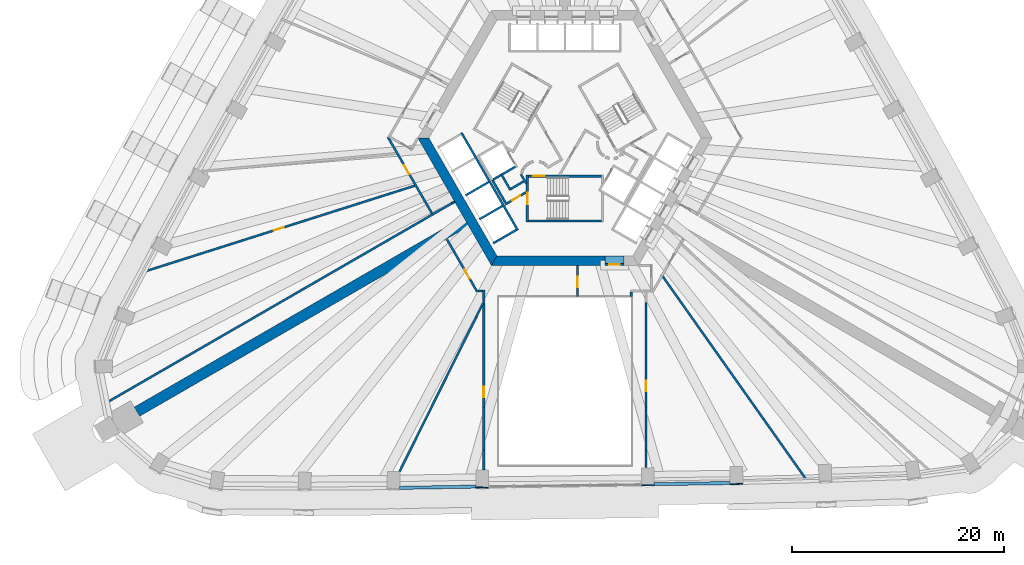
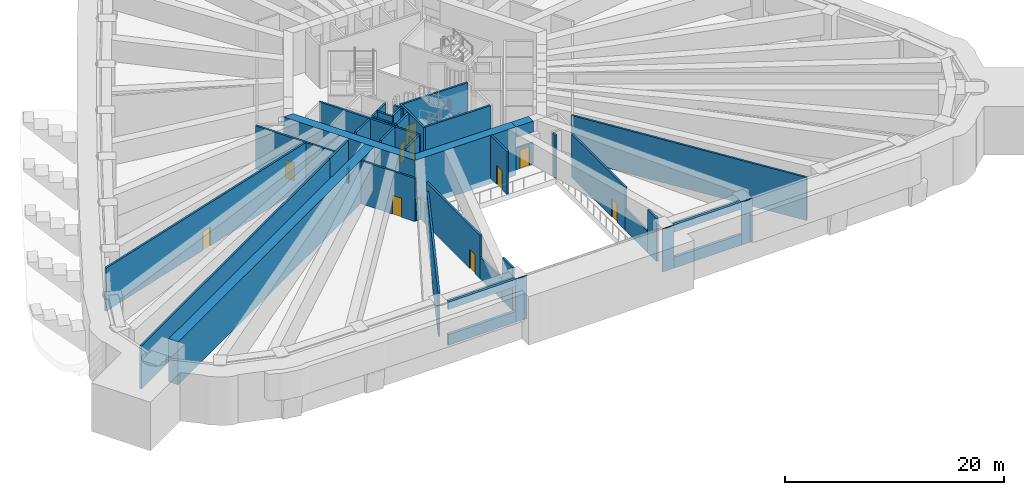
# One storey, part 5 of 21: 44 walls, 10 doors, 10 openings.
"""IFC4 building model written with IfcOpenShell, lengths in metres."""

from ifc_helpers import new_model, si_unit, direction, frame, frame_2d, origin, place, context, subcontext, project, spatial, polyline, rectangle, outline, extrude, material, layer, layer_set, type_object, element, fill, save


model = new_model("IFC4")

# Units and contexts
model_context = context("Model", 3, precision=1e-05, world=origin(), true_north=direction((0.0, 1.0)))
body_context = subcontext(model_context, "Body", "Model", "MODEL_VIEW")
ifc_project = project(units=[si_unit("LENGTHUNIT", "METRE"), si_unit("AREAUNIT", "SQUARE_METRE"), si_unit("VOLUMEUNIT", "CUBIC_METRE"), si_unit("PLANEANGLEUNIT", "RADIAN"), si_unit("MASSUNIT", "GRAM", prefix="KILO")], contexts=[model_context])

# Site, building, storey
site_placement = place(None, origin())
site = spatial("IfcSite", under=ifc_project, at=site_placement, CompositionType="ELEMENT")
building_placement = place(site_placement, origin())
building = spatial("IfcBuilding", under=site, at=building_placement, Name="Entoto Arch Interchange Tower", CompositionType="ELEMENT")
storey_placement = place(building_placement, frame((0.0, 0.0, 81.199951171875)))
storey = spatial("IfcBuildingStorey", under=building, at=storey_placement, Name="L17", CompositionType="ELEMENT", Elevation=81.199951171875)

# Wall, opening, door
ifc_material_1 = material(Name="Reinforced concrete C40/50", Category="concrete")
ifc_layer_1 = layer(ifc_material_1, 0.199951171875)
ifc_layer_set_1 = layer_set([ifc_layer_1], Name="Reinforced concrete C40/50")
wall_type_1 = type_object("IfcWallType", Name="CORE GAP INFILL WALL", PredefinedType="PARTITIONING", material=ifc_layer_set_1)
wall_1_placement = place(storey_placement, frame((3.75, -9.39990234375, 0.0), z_axis=(0.0, 0.0, 1.0), x_axis=(1.0, 0.0, 0.0)))
wall_1 = element("IfcWall", 1, at=wall_1_placement, inside=storey, type_object=wall_type_1, Name="wall:L17:gap1", PredefinedType="PARTITIONING", context=body_context, shape_type="SweptSolid", body=[
    extrude(rectangle(XDim=1.830078125, YDim=0.199951171875, at=frame_2d((0.9150390625, 0.0))), origin(), (0.0, 0.0, 1.0), 2.400146484375),
])
opening_1_placement = place(wall_1_placement, frame((0.4150390625, 0.0, 0.0)))
opening_1 = element("IfcOpeningElement", 2, at=opening_1_placement, cuts=wall_1, Name="Opening L17-D91", PredefinedType="OPENING", context=body_context, shape_type="SweptSolid", body=[
    extrude(rectangle(XDim=1.0, YDim=2.10009765625, at=frame_2d((0.5, 1.050048828125))), frame((0.0, 0.10986328125, 0.0), z_axis=(0.0, -1.0, 0.0), x_axis=(1.0, 0.0, 0.0)), (0.0, 0.0, 1.0), 0.219970703125),
])
ifc_material_2 = material(Name="Fire-rated Steel S235 door and frame", Category="steel")
door_type_1 = type_object("IfcDoorType", Name="DOOR FD-10 1000x2100", OperationType="SINGLE_SWING_LEFT", PredefinedType="DOOR", material=ifc_material_2)
door_1_placement = place(opening_1_placement, origin())
door_1 = element("IfcDoor", 3, at=door_1_placement, inside=storey, type_object=door_type_1, Name="door:L17:gap1", OperationType="SINGLE_SWING_LEFT", OverallHeight=2.10009765625, OverallWidth=1.0, PredefinedType="DOOR", context=body_context, shape_type="SweptSolid", body=[
    extrude(rectangle(XDim=1.0, YDim=2.10009765625, at=frame_2d((0.5, 1.050048828125))), frame((0.0, 0.02490234375, 0.0), z_axis=(0.0, -1.0, 0.0), x_axis=(1.0, 0.0, 0.0)), (0.0, 0.0, 1.0), 0.050048828125),
])
fill(opening_1, door_1)

# Walls
ifc_material_3 = material(Name="Concrete C60/75", Category="concrete")
ifc_layer_2 = layer(ifc_material_3, 0.89990234375)
ifc_layer_set_2 = layer_set([ifc_layer_2], Name="Concrete C60/75")
wall_type_2 = type_object("IfcWallType", Name="Core wall 900 C60/75", PredefinedType="SHEAR", material=ifc_layer_set_2)
wall_2_placement = place(storey_placement, frame((0.0, 0.0, -0.599853515625)))
element("IfcWall", 4, at=wall_2_placement, inside=storey, type_object=wall_type_2, Name="Core wall SW L17", PredefinedType="SHEAR", context=body_context, shape_type="SweptSolid", body=[
    extrude(outline(polyline([(-13.85595703125, 2.5), (-6.927978515625, -9.5), (-6.408935546875, -8.60009765625), (-12.81689453125, 2.5), (-13.85595703125, 2.5)])), origin(), (0.0, 0.0, 1.0), 5.39990234375),
])
wall_3_placement = place(storey_placement, frame((0.0, 0.0, -0.599853515625)))
element("IfcWall", 5, at=wall_3_placement, inside=storey, type_object=wall_type_2, Name="Core wall S L17", PredefinedType="SHEAR", context=body_context, shape_type="SweptSolid", body=[
    extrude(outline(polyline([(3.75, -9.5), (3.75, -8.60009765625), (-6.408935546875, -8.60009765625), (-6.927978515625, -9.5), (3.75, -9.5)])), origin(), (0.0, 0.0, 1.0), 5.39990234375),
])
wall_4_placement = place(storey_placement, frame((0.0, 0.0, 3.60009765625)))
element("IfcWall", 6, at=wall_4_placement, inside=storey, type_object=wall_type_2, Name="Core wall lintel S L17", PredefinedType="SHEAR", context=body_context, shape_type="SweptSolid", body=[
    extrude(outline(polyline([(5.580078125, -9.5), (5.580078125, -8.60009765625), (3.75, -8.60009765625), (3.75, -9.5), (5.580078125, -9.5)])), origin(), (0.0, 0.0, 1.0), 1.199951171875),
])
ifc_material_4 = material(Name="Concrete C40/50", Category="concrete")
ifc_layer_3 = layer(ifc_material_4, 0.199951171875)
ifc_layer_set_3 = layer_set([ifc_layer_3], Name="Concrete C40/50")
wall_type_3 = type_object("IfcWallType", Name="LIFT SHAFT WALL 200", PredefinedType="STANDARD", material=ifc_layer_set_3)
wall_5_placement = place(storey_placement, frame((-4.677001953125, -0.199951171875, 0.0), z_axis=(0.0, 0.0, 1.0), x_axis=(-0.865973769406, -0.500089422704, 0.0)))
element("IfcWall", 7, at=wall_5_placement, inside=storey, type_object=wall_type_3, Name="Shaft wall SW1 cross 2", PredefinedType="STANDARD", context=body_context, shape_type="SweptSolid", body=[
    extrude(rectangle(XDim=2.3994140625, YDim=0.199951171875, at=frame_2d((1.19970703125, 0.0))), origin(), (0.0, 0.0, 1.0), 4.800048828125),
])
wall_6_placement = place(storey_placement, frame((-9.7509765625, 2.989990234375, 0.0), z_axis=(0.0, 0.0, 1.0), x_axis=(0.50000090737, -0.866024879913, 0.0)))
element("IfcWall", 8, at=wall_6_placement, inside=storey, type_object=wall_type_3, Name="Shaft wall SW3 front", PredefinedType="STANDARD", context=body_context, shape_type="SweptSolid", body=[
    extrude(rectangle(XDim=10.60009765625, YDim=0.199951171875, at=frame_2d((5.300048828125, 0.0))), origin(), (0.0, 0.0, 1.0), 4.800048828125),
])
for number, where, z_axis, x_axis, name in (
    (9, (-7.18798828125, -1.64990234375, 0.0), (0.0, 0.0, 1.0), (-0.866022959057, -0.500004234368, 0.0), "Shaft wall SW3 cross 3"),
    (10, (-5.887939453125, -3.902099609375, 0.0), (0.0, 0.0, 1.0), (-0.866022959057, -0.500004234368, 0.0), "Shaft wall SW3 cross 4"),
    (11, (-4.587890625, -6.153076171875, 0.0), (0.0, 0.0, 1.0), (-0.866022959057, -0.500004234368, 0.0), "Shaft wall SW3 cross 5"),
):
    element("IfcWall", number, at=place(storey_placement, frame(where, z_axis=z_axis, x_axis=x_axis)), inside=storey, type_object=wall_type_3, Name=name, PredefinedType="STANDARD", context=body_context, shape_type="SweptSolid", body=[
        extrude(rectangle(XDim=2.5, YDim=0.199951171875, at=frame_2d((1.25, 0.0))), origin(), (0.0, 0.0, 1.0), 4.800048828125),
    ])
ifc_layer_4 = layer(ifc_material_3, 1.0)
ifc_layer_set_4 = layer_set([ifc_layer_4], Name="Concrete C60/75")
wall_type_4 = type_object("IfcWallType", Name="Outrigger wall 1000 C60/75", PredefinedType="SHEAR", material=ifc_layer_set_4)
wall_7_placement = place(storey_placement, frame((-9.31005859375, -5.375, 0.0), z_axis=(0.0, 0.0, 1.0), x_axis=(-0.866022967049, -0.500004220526, 0.0)))
element("IfcWall", 12, at=wall_7_placement, inside=storey, type_object=wall_type_4, Name="Outrigger wall SW L17", PredefinedType="SHEAR", context=body_context, shape_type="SweptSolid", body=[
    extrude(rectangle(XDim=35.801513671875, YDim=1.0, at=frame_2d((17.90087890625, 0.0))), origin(), (0.0, 0.0, 1.0), 4.800048828125),
])
ifc_material_5 = material(Name="Gypsum board partition on steel studs", Category="steel")
ifc_layer_5 = layer(ifc_material_5, 0.199951171875)
ifc_layer_set_5 = layer_set([ifc_layer_5], Name="Gypsum board partition on steel studs")
wall_type_5 = type_object("IfcWallType", Name="PARTITION 200", PredefinedType="PARTITIONING", material=ifc_layer_set_5)
wall_8_placement = place(storey_placement, frame((-3.89990234375, -1.59912109375, 0.0), z_axis=(0.0, 0.0, 1.0), x_axis=(-0.865969445389, -0.500096910261, 0.0)))
element("IfcWall", 13, at=wall_8_placement, inside=storey, type_object=wall_type_5, Name="wall:L17:p007", PredefinedType="PARTITIONING", context=body_context, shape_type="SweptSolid", body=[
    extrude(rectangle(XDim=1.373291015625, YDim=0.199951171875, at=frame_2d((0.6865234375, 0.0))), origin(), (0.0, 0.0, 1.0), 4.800048828125),
])
wall_9_placement = place(storey_placement, frame((-5.1259765625, -2.422119140625, 0.0), z_axis=(0.0, 0.0, 1.0), x_axis=(-0.500062241894, 0.865989465428, 0.0)))
element("IfcWall", 14, at=wall_9_placement, inside=storey, type_object=wall_type_5, Name="wall:L17:p008", PredefinedType="PARTITIONING", context=body_context, shape_type="SweptSolid", body=[
    extrude(rectangle(XDim=1.699951171875, YDim=0.199951171875, at=frame_2d((0.85009765625, 0.0))), origin(), (0.0, 0.0, 1.0), 4.800048828125),
])
wall_10_placement = place(storey_placement, frame((-5.491943359375, -3.7880859375, 0.0), z_axis=(0.0, 0.0, 1.0), x_axis=(-0.500008949224, 0.866020236886, 0.0)))
element("IfcWall", 15, at=wall_10_placement, inside=storey, type_object=wall_type_5, Name="wall:L17:p009", PredefinedType="PARTITIONING", context=body_context, shape_type="SweptSolid", body=[
    extrude(rectangle(XDim=2.68017578125, YDim=0.199951171875, at=frame_2d((1.340087890625, 0.0))), origin(), (0.0, 0.0, 1.0), 4.800048828125),
])
wall_11_placement = place(storey_placement, frame((-4.14501953125, -0.919921875, 0.0), z_axis=(0.0, 0.0, 1.0), x_axis=(0.499743786207, -0.866173278362, 0.0)))
element("IfcWall", 16, at=wall_11_placement, inside=storey, type_object=wall_type_5, Name="wall:L17:p010", PredefinedType="PARTITIONING", context=body_context, shape_type="SweptSolid", body=[
    extrude(rectangle(XDim=0.99072265625, YDim=0.199951171875, at=frame_2d((0.495361328125, 0.0))), origin(), (0.0, 0.0, 1.0), 4.800048828125),
])

# Wall, opening, door
wall_12_placement = place(storey_placement, frame((-3.64990234375, -2.610107421875, 0.0), z_axis=(0.0, 0.0, 1.0), x_axis=(-0.866072462134, -0.499918483688, 0.0)))
wall_12 = element("IfcWall", 17, at=wall_12_placement, inside=storey, type_object=wall_type_5, Name="wall:L17:p011", PredefinedType="PARTITIONING", context=body_context, shape_type="SweptSolid", body=[
    extrude(rectangle(XDim=2.084228515625, YDim=0.199951171875, at=frame_2d((1.0419921875, 0.0))), origin(), (0.0, 0.0, 1.0), 4.800048828125),
])
opening_2_placement = place(wall_12_placement, frame((0.64208984375, 0.0, 0.0)))
opening_2 = element("IfcOpeningElement", 18, at=opening_2_placement, cuts=wall_12, Name="Opening L17-D23", PredefinedType="OPENING", context=body_context, shape_type="SweptSolid", body=[
    extrude(rectangle(XDim=0.89990234375, YDim=2.10009765625, at=frame_2d((0.449951171875, 1.050048828125))), frame((0.0, 0.10986328125, 0.0), z_axis=(0.0, -1.0, 0.0), x_axis=(1.0, 0.0, 0.0)), (0.0, 0.0, 1.0), 0.219970703125),
])
ifc_material_6 = material(Name="Timber door leaf in Steel S235 frame", Category="steel")
door_type_2 = type_object("IfcDoorType", Name="DOOR DS-09 900x2100", OperationType="SINGLE_SWING_LEFT", PredefinedType="DOOR", material=ifc_material_6)
door_2_placement = place(opening_2_placement, origin())
door_2 = element("IfcDoor", 19, at=door_2_placement, inside=storey, type_object=door_type_2, Name="door:L17:23", OperationType="SINGLE_SWING_LEFT", OverallHeight=2.10009765625, OverallWidth=0.89990234375, PredefinedType="DOOR", context=body_context, shape_type="SweptSolid", body=[
    extrude(rectangle(XDim=0.89990234375, YDim=2.10009765625, at=frame_2d((0.449951171875, 1.050048828125))), frame((0.0, 0.02490234375, 0.0), z_axis=(0.0, -1.0, 0.0), x_axis=(1.0, 0.0, 0.0)), (0.0, 0.0, 1.0), 0.050048828125),
])
fill(opening_2, door_2)

wall_13_placement = place(storey_placement, frame((1.1650390625, -12.449951171875, 0.0), z_axis=(0.0, 0.0, 1.0), x_axis=(0.0, 1.0, 0.0)))
wall_13 = element("IfcWall", 20, at=wall_13_placement, inside=storey, type_object=wall_type_5, Name="wall:L17:p028", PredefinedType="PARTITIONING", context=body_context, shape_type="SweptSolid", body=[
    extrude(rectangle(XDim=2.949951171875, YDim=0.199951171875, at=frame_2d((1.47509765625, 0.0))), origin(), (0.0, 0.0, 1.0), 4.800048828125),
])
opening_3_placement = place(wall_13_placement, frame((0.8759765625, 0.0, 0.0)))
opening_3 = element("IfcOpeningElement", 21, at=opening_3_placement, cuts=wall_13, Name="Opening L17-D01", PredefinedType="OPENING", context=body_context, shape_type="SweptSolid", body=[
    extrude(rectangle(XDim=1.0, YDim=2.10009765625, at=frame_2d((0.5, 1.050048828125))), frame((0.0, 0.10986328125, 0.0), z_axis=(0.0, -1.0, 0.0), x_axis=(1.0, 0.0, 0.0)), (0.0, 0.0, 1.0), 0.219970703125),
])
door_3_placement = place(opening_3_placement, origin())
door_3 = element("IfcDoor", 22, at=door_3_placement, inside=storey, type_object=door_type_1, Name="door:L17:01", OperationType="SINGLE_SWING_LEFT", OverallHeight=2.10009765625, OverallWidth=1.0, PredefinedType="DOOR", context=body_context, shape_type="SweptSolid", body=[
    extrude(rectangle(XDim=1.0, YDim=2.10009765625, at=frame_2d((0.5, 1.050048828125))), frame((0.0, 0.02490234375, 0.0), z_axis=(0.0, -1.0, 0.0), x_axis=(1.0, 0.0, 0.0)), (0.0, 0.0, 1.0), 0.050048828125),
])
fill(opening_3, door_3)

# Walls
wall_14_placement = place(storey_placement, frame((6.25, -12.0, 0.0), z_axis=(0.0, 0.0, 1.0), x_axis=(0.0, -1.0, 0.0)))
element("IfcWall", 23, at=wall_14_placement, inside=storey, type_object=wall_type_5, Name="wall:L17:p030", PredefinedType="PARTITIONING", context=body_context, shape_type="SweptSolid", body=[
    extrude(rectangle(XDim=0.449951171875, YDim=0.199951171875, at=frame_2d((0.22509765625, 0.0))), origin(), (0.0, 0.0, 1.0), 4.800048828125),
])
wall_15_placement = place(storey_placement, frame((-7.64990234375, -12.825927734375, 0.0), z_axis=(0.0, 0.0, 1.0), x_axis=(0.0, 1.0, 0.0)))
element("IfcWall", 24, at=wall_15_placement, inside=storey, type_object=wall_type_5, Name="wall:L17:p035", PredefinedType="PARTITIONING", context=body_context, shape_type="SweptSolid", body=[
    extrude(rectangle(XDim=1.02587890625, YDim=0.199951171875, at=frame_2d((0.512939453125, 0.0))), origin(), (0.0, 0.0, 1.0), 2.400146484375),
])
wall_16_placement = place(storey_placement, frame((-7.75, -11.89990234375, 0.0), z_axis=(0.0, 0.0, 1.0), x_axis=(-1.0, 0.0, 0.0)))
element("IfcWall", 25, at=wall_16_placement, inside=storey, type_object=wall_type_5, Name="wall:L17:p036", PredefinedType="PARTITIONING", context=body_context, shape_type="SweptSolid", body=[
    extrude(rectangle(XDim=0.464111328125, YDim=0.199951171875, at=frame_2d((0.23193359375, 0.0))), origin(), (0.0, 0.0, 1.0), 2.400146484375),
])

# Wall, opening, door
wall_17_placement = place(storey_placement, frame((-8.263916015625, -11.987060546875, 0.0), z_axis=(0.0, 0.0, 1.0), x_axis=(-0.499907863044, 0.866078592546, 0.0)))
wall_17 = element("IfcWall", 26, at=wall_17_placement, inside=storey, type_object=wall_type_5, Name="wall:L17:p037", PredefinedType="PARTITIONING", context=body_context, shape_type="SweptSolid", body=[
    extrude(rectangle(XDim=5.69921875, YDim=0.199951171875, at=frame_2d((2.849609375, 0.0))), origin(), (0.0, 0.0, 1.0), 4.800048828125),
])
opening_4_placement = place(wall_17_placement, frame((1.4189453125, 0.0, 0.0)))
opening_4 = element("IfcOpeningElement", 27, at=opening_4_placement, cuts=wall_17, Name="Opening L17-D03", PredefinedType="OPENING", context=body_context, shape_type="SweptSolid", body=[
    extrude(rectangle(XDim=1.0, YDim=2.10009765625, at=frame_2d((0.5, 1.050048828125))), frame((0.0, 0.10986328125, 0.0), z_axis=(0.0, -1.0, 0.0), x_axis=(1.0, 0.0, 0.0)), (0.0, 0.0, 1.0), 0.219970703125),
])
door_4_placement = place(opening_4_placement, origin())
door_4 = element("IfcDoor", 28, at=door_4_placement, inside=storey, type_object=door_type_1, Name="door:L17:03", OperationType="SINGLE_SWING_LEFT", OverallHeight=2.10009765625, OverallWidth=1.0, PredefinedType="DOOR", context=body_context, shape_type="SweptSolid", body=[
    extrude(rectangle(XDim=1.0, YDim=2.10009765625, at=frame_2d((0.5, 1.050048828125))), frame((0.0, 0.02490234375, 0.0), z_axis=(0.0, -1.0, 0.0), x_axis=(1.0, 0.0, 0.0)), (0.0, 0.0, 1.0), 0.050048828125),
])
fill(opening_4, door_4)

# Walls
wall_18_placement = place(storey_placement, frame((-7.64990234375, -28.75390625, 0.0), z_axis=(0.0, 0.0, 1.0), x_axis=(0.0, 1.0, 0.0)))
element("IfcWall", 29, at=wall_18_placement, inside=storey, type_object=wall_type_5, Name="wall:L17:p038", PredefinedType="PARTITIONING", context=body_context, shape_type="SweptSolid", body=[
    extrude(rectangle(XDim=1.8818359375, YDim=0.199951171875, at=frame_2d((0.94091796875, 0.0))), origin(), (0.0, 0.0, 1.0), 4.800048828125),
])
wall_19_placement = place(storey_placement, frame((9.092041015625, -10.3701171875, 0.0), z_axis=(0.0, 0.0, 1.0), x_axis=(0.577082807178, -0.816685639435, 0.0)))
element("IfcWall", 30, at=wall_19_placement, inside=storey, type_object=wall_type_5, Name="wall:L17:p042", PredefinedType="PARTITIONING", context=body_context, shape_type="SweptSolid", body=[
    extrude(rectangle(XDim=23.646484375, YDim=0.199951171875, at=frame_2d((11.8232421875, 0.0))), origin(), (0.0, 0.0, 1.0), 4.800048828125),
])
wall_20_placement = place(storey_placement, frame((-7.60595703125, -12.8359375, 0.0), z_axis=(0.0, 0.0, 1.0), x_axis=(-0.444033028639, -0.896010418175, 0.0)))
element("IfcWall", 31, at=wall_20_placement, inside=storey, type_object=wall_type_5, Name="wall:L17:p043", PredefinedType="PARTITIONING", context=body_context, shape_type="SweptSolid", body=[
    extrude(rectangle(XDim=1.720947265625, YDim=0.199951171875, at=frame_2d((0.8603515625, 0.0))), origin(), (0.0, 0.0, 1.0), 2.400146484375),
])
wall_21_placement = place(storey_placement, frame((-10.39208984375, -3.5, 0.0), z_axis=(0.0, 0.0, 1.0), x_axis=(-0.866040446274, -0.499973944738, 0.0)))
element("IfcWall", 32, at=wall_21_placement, inside=storey, type_object=wall_type_5, Name="wall:L17:p044", PredefinedType="PARTITIONING", context=body_context, shape_type="SweptSolid", body=[
    extrude(rectangle(XDim=0.30810546875, YDim=0.199951171875, at=frame_2d((0.154052734375, 0.0))), origin(), (0.0, 0.0, 1.0), 1.699951171875),
])
wall_22_placement = place(storey_placement, frame((-43.3369140625, -22.52001953125, 0.0), z_axis=(0.0, 0.0, 1.0), x_axis=(0.866035864772, 0.4999818806, 0.0)))
element("IfcWall", 33, at=wall_22_placement, inside=storey, type_object=wall_type_5, Name="wall:L17:p045", PredefinedType="PARTITIONING", context=body_context, shape_type="SweptSolid", body=[
    extrude(rectangle(XDim=34.431396484375, YDim=0.199951171875, at=frame_2d((17.2158203125, 0.0))), origin(), (0.0, 0.0, 1.0), 4.800048828125),
])

# Wall, opening, door
wall_23_placement = place(storey_placement, frame((-12.470947265625, -4.699951171875, 0.0), z_axis=(0.0, 0.0, 1.0), x_axis=(-0.49990916997, 0.866077838176, 0.0)))
wall_23 = element("IfcWall", 34, at=wall_23_placement, inside=storey, type_object=wall_type_5, Name="wall:L17:p068", PredefinedType="PARTITIONING", context=body_context, shape_type="SweptSolid", body=[
    extrude(rectangle(XDim=8.41357421875, YDim=0.199951171875, at=frame_2d((4.206787109375, 0.0))), origin(), (0.0, 0.0, 1.0), 4.800048828125),
])
opening_5_placement = place(wall_23_placement, frame((4.362060546875, 0.0, 0.0)))
opening_5 = element("IfcOpeningElement", 35, at=opening_5_placement, cuts=wall_23, Name="Opening L17-D16", PredefinedType="OPENING", context=body_context, shape_type="SweptSolid", body=[
    extrude(rectangle(XDim=1.0, YDim=2.10009765625, at=frame_2d((0.5, 1.050048828125))), frame((0.0, 0.10986328125, 0.0), z_axis=(0.0, -1.0, 0.0), x_axis=(1.0, 0.0, 0.0)), (0.0, 0.0, 1.0), 0.219970703125),
])
door_5_placement = place(opening_5_placement, origin())
door_5 = element("IfcDoor", 36, at=door_5_placement, inside=storey, type_object=door_type_1, Name="door:L17:16", OperationType="SINGLE_SWING_RIGHT", OverallHeight=2.10009765625, OverallWidth=1.0, PredefinedType="DOOR", context=body_context, shape_type="SweptSolid", body=[
    extrude(rectangle(XDim=1.0, YDim=2.10009765625, at=frame_2d((0.5, 1.050048828125))), frame((0.0, 0.02490234375, 0.0), z_axis=(0.0, -1.0, 0.0), x_axis=(1.0, 0.0, 0.0)), (0.0, 0.0, 1.0), 0.050048828125),
])
fill(opening_5, door_5)

wall_24_placement = place(storey_placement, frame((-14.051025390625, -1.962890625, 0.0), z_axis=(0.0, 0.0, 1.0), x_axis=(-0.953071002878, -0.302746863687, 0.0)))
wall_24 = element("IfcWall", 37, at=wall_24_placement, inside=storey, type_object=wall_type_5, Name="wall:L17:p071", PredefinedType="PARTITIONING", context=body_context, shape_type="SweptSolid", body=[
    extrude(rectangle(XDim=27.158447265625, YDim=0.199951171875, at=frame_2d((13.5791015625, 0.0))), origin(), (0.0, 0.0, 1.0), 4.800048828125),
])
opening_6_placement = place(wall_24_placement, frame((13.050048828125, 0.0, 0.0)))
opening_6 = element("IfcOpeningElement", 38, at=opening_6_placement, cuts=wall_24, Name="Opening L17-D17", PredefinedType="OPENING", context=body_context, shape_type="SweptSolid", body=[
    extrude(rectangle(XDim=1.0, YDim=2.10009765625, at=frame_2d((0.5, 1.050048828125))), frame((0.0, 0.10986328125, 0.0), z_axis=(0.0, -1.0, 0.0), x_axis=(1.0, 0.0, 0.0)), (0.0, 0.0, 1.0), 0.219970703125),
])
door_6_placement = place(opening_6_placement, origin())
door_6 = element("IfcDoor", 39, at=door_6_placement, inside=storey, type_object=door_type_1, Name="door:L17:17", OperationType="SINGLE_SWING_LEFT", OverallHeight=2.10009765625, OverallWidth=1.0, PredefinedType="DOOR", context=body_context, shape_type="SweptSolid", body=[
    extrude(rectangle(XDim=1.0, YDim=2.10009765625, at=frame_2d((0.5, 1.050048828125))), frame((0.0, 0.02490234375, 0.0), z_axis=(0.0, -1.0, 0.0), x_axis=(1.0, 0.0, 0.0)), (0.0, 0.0, 1.0), 0.050048828125),
])
fill(opening_6, door_6)

wall_25_placement = place(storey_placement, frame((7.64990234375, -13.0009765625, 0.0), z_axis=(0.0, 0.0, 1.0), x_axis=(0.0, -1.0, 0.0)))
wall_25 = element("IfcWall", 40, at=wall_25_placement, inside=storey, type_object=wall_type_5, Name="wall:L17:p034", PredefinedType="PARTITIONING", context=body_context, shape_type="SweptSolid", body=[
    extrude(rectangle(XDim=9.81494140625, YDim=0.199951171875, at=frame_2d((4.907470703125, 0.0))), origin(), (0.0, 0.0, 1.0), 4.800048828125),
])
opening_7_placement = place(wall_25_placement, frame((7.362060546875, 0.0, 0.0)))
opening_7 = element("IfcOpeningElement", 41, at=opening_7_placement, cuts=wall_25, Name="Opening L17-D18", PredefinedType="OPENING", context=body_context, shape_type="SweptSolid", body=[
    extrude(rectangle(XDim=1.0, YDim=2.10009765625, at=frame_2d((0.5, 1.050048828125))), frame((0.0, 0.10986328125, 0.0), z_axis=(0.0, -1.0, 0.0), x_axis=(1.0, 0.0, 0.0)), (0.0, 0.0, 1.0), 0.219970703125),
])
door_type_3 = type_object("IfcDoorType", Name="DOOR DS-10 1000x2100", OperationType="SINGLE_SWING_LEFT", PredefinedType="DOOR", material=ifc_material_6)
door_7_placement = place(opening_7_placement, origin())
door_7 = element("IfcDoor", 42, at=door_7_placement, inside=storey, type_object=door_type_3, Name="door:L17:18", OperationType="SINGLE_SWING_RIGHT", OverallHeight=2.10009765625, OverallWidth=1.0, PredefinedType="DOOR", context=body_context, shape_type="SweptSolid", body=[
    extrude(rectangle(XDim=1.0, YDim=2.10009765625, at=frame_2d((0.5, 1.050048828125))), frame((0.0, 0.02490234375, 0.0), z_axis=(0.0, -1.0, 0.0), x_axis=(1.0, 0.0, 0.0)), (0.0, 0.0, 1.0), 0.050048828125),
])
fill(opening_7, door_7)

# Walls
wall_26_placement = place(storey_placement, frame((7.64990234375, -22.81591796875, 0.0), z_axis=(0.0, 0.0, 1.0), x_axis=(0.0, -1.0, 0.0)))
element("IfcWall", 43, at=wall_26_placement, inside=storey, type_object=wall_type_5, Name="wall:L17:p034", PredefinedType="PARTITIONING", context=body_context, shape_type="SweptSolid", body=[
    extrude(rectangle(XDim=4.05517578125, YDim=0.199951171875, at=frame_2d((2.027587890625, 0.0))), origin(), (0.0, 0.0, 1.0), 2.400146484375),
])
wall_27_placement = place(storey_placement, frame((7.64990234375, -26.87109375, 0.0), z_axis=(0.0, 0.0, 1.0), x_axis=(0.0, -1.0, 0.0)))
element("IfcWall", 44, at=wall_27_placement, inside=storey, type_object=wall_type_5, Name="wall:L17:p034", PredefinedType="PARTITIONING", context=body_context, shape_type="SweptSolid", body=[
    extrude(rectangle(XDim=1.6728515625, YDim=0.199951171875, at=frame_2d((0.83642578125, 0.0))), origin(), (0.0, 0.0, 1.0), 4.800048828125),
])
wall_28_placement = place(storey_placement, frame((-7.64990234375, -26.8720703125, 0.0), z_axis=(0.0, 0.0, 1.0), x_axis=(0.0, 1.0, 0.0)))
element("IfcWall", 45, at=wall_28_placement, inside=storey, type_object=wall_type_5, Name="wall:L17:p038", PredefinedType="PARTITIONING", context=body_context, shape_type="SweptSolid", body=[
    extrude(rectangle(XDim=4.05615234375, YDim=0.199951171875, at=frame_2d((2.028076171875, 0.0))), origin(), (0.0, 0.0, 1.0), 2.400146484375),
])

# Wall, opening, door
wall_29_placement = place(storey_placement, frame((-7.64990234375, -22.81591796875, 0.0), z_axis=(0.0, 0.0, 1.0), x_axis=(0.0, 1.0, 0.0)))
wall_29 = element("IfcWall", 46, at=wall_29_placement, inside=storey, type_object=wall_type_5, Name="wall:L17:p038", PredefinedType="PARTITIONING", context=body_context, shape_type="SweptSolid", body=[
    extrude(rectangle(XDim=9.7900390625, YDim=0.199951171875, at=frame_2d((4.89501953125, 0.0))), origin(), (0.0, 0.0, 1.0), 4.800048828125),
])
opening_8_placement = place(wall_29_placement, frame((0.885009765625, 0.0, 0.0)))
opening_8 = element("IfcOpeningElement", 47, at=opening_8_placement, cuts=wall_29, Name="Opening L17-D04", PredefinedType="OPENING", context=body_context, shape_type="SweptSolid", body=[
    extrude(rectangle(XDim=1.0, YDim=2.10009765625, at=frame_2d((0.5, 1.050048828125))), frame((0.0, 0.10986328125, 0.0), z_axis=(0.0, -1.0, 0.0), x_axis=(1.0, 0.0, 0.0)), (0.0, 0.0, 1.0), 0.219970703125),
])
door_8_placement = place(opening_8_placement, origin())
door_8 = element("IfcDoor", 48, at=door_8_placement, inside=storey, type_object=door_type_1, Name="door:L17:04", OperationType="SINGLE_SWING_RIGHT", OverallHeight=2.10009765625, OverallWidth=1.0, PredefinedType="DOOR", context=body_context, shape_type="SweptSolid", body=[
    extrude(rectangle(XDim=1.0, YDim=2.10009765625, at=frame_2d((0.5, 1.050048828125))), frame((0.0, 0.02490234375, 0.0), z_axis=(0.0, -1.0, 0.0), x_axis=(1.0, 0.0, 0.0)), (0.0, 0.0, 1.0), 0.050048828125),
])
fill(opening_8, door_8)

# Walls
wall_30_placement = place(storey_placement, frame((-8.3701171875, -14.3779296875, 0.0), z_axis=(0.0, 0.0, 1.0), x_axis=(-0.444267350834, -0.895894257702, 0.0)))
element("IfcWall", 49, at=wall_30_placement, inside=storey, type_object=wall_type_5, Name="wall:L17:p043", PredefinedType="PARTITIONING", context=body_context, shape_type="SweptSolid", body=[
    extrude(rectangle(XDim=16.2216796875, YDim=0.199951171875, at=frame_2d((8.11083984375, 0.0))), origin(), (0.0, 0.0, 1.0), 4.800048828125),
])
wall_31_placement = place(storey_placement, frame((-10.658935546875, -3.654052734375, 0.0), z_axis=(0.0, 0.0, 1.0), x_axis=(-0.866004557827, -0.500036104519, 0.0)))
element("IfcWall", 50, at=wall_31_placement, inside=storey, type_object=wall_type_5, Name="wall:L17:p044", PredefinedType="PARTITIONING", context=body_context, shape_type="SweptSolid", body=[
    extrude(rectangle(XDim=3.301513671875, YDim=0.199951171875, at=frame_2d((1.65087890625, 0.0))), origin(), (0.0, 0.0, 1.0), 4.800048828125),
])
ifc_material_7 = material(Name="Board-marked precast concrete C50/60", Category="concrete")
ifc_layer_6 = layer(ifc_material_7, 0.10009765625)
ifc_layer_set_6 = layer_set([ifc_layer_6], Name="Board-marked precast concrete C50/60")
wall_type_6 = type_object("IfcWallType", Name="PRECAST FRAME WALL 100", PredefinedType="STANDARD", material=ifc_layer_set_6)
for number, where, z_axis, x_axis, name in (
    (51, (-8.39990234375, -30.41796875, 0.0), (0.0, 0.0, 1.0), (0.999965208912, -0.008341520563, 0.0), "Frame pier S04 L17"),
    (52, (7.199951171875, -30.218017578125, 0.0), (0.0, 0.0, 1.0), (0.999965208912, 0.008341520563, 0.0), "Frame pier S05 L17"),
):
    element("IfcWall", number, at=place(storey_placement, frame(where, z_axis=z_axis, x_axis=x_axis)), inside=storey, type_object=wall_type_6, Name=name, PredefinedType="STANDARD", context=body_context, shape_type="SweptSolid", body=[
        extrude(rectangle(XDim=1.199951171875, YDim=0.10009765625, at=frame_2d((0.60009765625, 0.0))), origin(), (0.0, 0.0, 1.0), 4.800048828125),
    ])
wall_32_placement = place(storey_placement, frame((15.569091796875, -30.10595703125, 0.0), z_axis=(0.0, 0.0, 1.0), x_axis=(0.99976752127, 0.021561618973, 0.0)))
element("IfcWall", 53, at=wall_32_placement, inside=storey, type_object=wall_type_6, Name="Frame pier S06 L17", PredefinedType="STANDARD", context=body_context, shape_type="SweptSolid", body=[
    extrude(rectangle(XDim=1.2001953125, YDim=0.10009765625, at=frame_2d((0.60009765625, 0.0))), origin(), (0.0, 0.0, 1.0), 4.800048828125),
])
ifc_layer_7 = layer(ifc_material_7, 0.300048828125)
ifc_layer_set_7 = layer_set([ifc_layer_7], Name="Board-marked precast concrete C50/60")
wall_type_7 = type_object("IfcWallType", Name="PRECAST FRAME WALL 300", PredefinedType="STANDARD", material=ifc_layer_set_7)
wall_33_placement = place(storey_placement, frame((-15.56689453125, -30.4580078125, 0.0), z_axis=(0.0, 0.0, 1.0), x_axis=(0.999848022085, 0.017433666643, 0.0)))
element("IfcWall", 54, at=wall_33_placement, inside=storey, type_object=wall_type_7, Name="Frame sill wall S-03 L17", PredefinedType="STANDARD", context=body_context, shape_type="SweptSolid", body=[
    extrude(rectangle(XDim=7.169921875, YDim=0.300048828125, at=frame_2d((3.5849609375, 0.0))), origin(), (0.0, 0.0, 1.0), 1.199951171875),
])
wall_34_placement = place(storey_placement, frame((-15.56689453125, -30.4580078125, 4.0), z_axis=(0.0, 0.0, 1.0), x_axis=(0.999848022085, 0.017433666643, 0.0)))
element("IfcWall", 55, at=wall_34_placement, inside=storey, type_object=wall_type_7, Name="Frame head wall S-03 L17", PredefinedType="STANDARD", context=body_context, shape_type="SweptSolid", body=[
    extrude(rectangle(XDim=7.169921875, YDim=0.300048828125, at=frame_2d((3.5849609375, 0.0))), origin(), (0.0, 0.0, 1.0), 0.800048828125),
])
wall_35_placement = place(storey_placement, frame((8.39794921875, -30.10400390625, 0.0), z_axis=(0.0, 0.0, 1.0), x_axis=(0.999898730591, 0.014231253001, 0.0)))
element("IfcWall", 56, at=wall_35_placement, inside=storey, type_object=wall_type_7, Name="Frame sill wall S-05 L17", PredefinedType="STANDARD", context=body_context, shape_type="SweptSolid", body=[
    extrude(rectangle(XDim=7.1708984375, YDim=0.300048828125, at=frame_2d((3.58544921875, 0.0))), origin(), (0.0, 0.0, 1.0), 1.199951171875),
])
wall_36_placement = place(storey_placement, frame((8.39794921875, -30.10400390625, 4.0), z_axis=(0.0, 0.0, 1.0), x_axis=(0.999898730591, 0.014231253001, 0.0)))
element("IfcWall", 57, at=wall_36_placement, inside=storey, type_object=wall_type_7, Name="Frame head wall S-05 L17", PredefinedType="STANDARD", context=body_context, shape_type="SweptSolid", body=[
    extrude(rectangle(XDim=7.1708984375, YDim=0.300048828125, at=frame_2d((3.58544921875, 0.0))), origin(), (0.0, 0.0, 1.0), 0.800048828125),
])

# Wall, opening, door
ifc_layer_8 = layer(ifc_material_4, 0.199951171875)
ifc_layer_set_8 = layer_set([ifc_layer_8], Name="Concrete C40/50")
wall_type_8 = type_object("IfcWallType", Name="STAIR ENCLOSURE WALL 200", PredefinedType="STANDARD", material=ifc_layer_set_8)
wall_37_placement = place(storey_placement, frame((-3.550048828125, -1.0, 0.0), z_axis=(0.0, 0.0, 1.0), x_axis=(0.0, -1.0, 0.0)))
wall_37 = element("IfcWall", 58, at=wall_37_placement, inside=storey, type_object=wall_type_8, Name="Stair wall ST-S near", PredefinedType="STANDARD", context=body_context, shape_type="SweptSolid", body=[
    extrude(rectangle(XDim=4.39990234375, YDim=0.199951171875, at=frame_2d((2.199951171875, 0.0))), origin(), (0.0, 0.0, 1.0), 4.800048828125),
])
opening_9_placement = place(wall_37_placement, frame((1.64990234375, 0.0, 0.0)))
opening_9 = element("IfcOpeningElement", 59, at=opening_9_placement, cuts=wall_37, Name="Opening SD-ST-S-L17-E", PredefinedType="OPENING", context=body_context, shape_type="SweptSolid", body=[
    extrude(rectangle(XDim=1.10009765625, YDim=2.199951171875, at=frame_2d((0.550048828125, 1.10009765625))), frame((0.0, 0.10986328125, 0.0), z_axis=(0.0, -1.0, 0.0), x_axis=(1.0, 0.0, 0.0)), (0.0, 0.0, 1.0), 0.219970703125),
])
ifc_material_8 = material(Name="Steel S235", Category="steel")
door_type_4 = type_object("IfcDoorType", Name="STAIR DOOR SD1 1100x2200", OperationType="SINGLE_SWING_LEFT", PredefinedType="DOOR", material=ifc_material_8)
door_9_placement = place(opening_9_placement, origin())
door_9 = element("IfcDoor", 60, at=door_9_placement, inside=storey, type_object=door_type_4, Name="Stair door ST-S L17 end", OperationType="SINGLE_SWING_LEFT", OverallHeight=2.199951171875, OverallWidth=1.10009765625, PredefinedType="DOOR", context=body_context, shape_type="SweptSolid", body=[
    extrude(rectangle(XDim=1.10009765625, YDim=2.199951171875, at=frame_2d((0.550048828125, 1.10009765625))), frame((0.0, 0.02490234375, 0.0), z_axis=(0.0, -1.0, 0.0), x_axis=(1.0, 0.0, 0.0)), (0.0, 0.0, 1.0), 0.050048828125),
])
fill(opening_9, door_9)

wall_38_placement = place(storey_placement, frame((-3.449951171875, -1.10009765625, 0.0), z_axis=(0.0, 0.0, 1.0), x_axis=(1.0, 0.0, 0.0)))
wall_38 = element("IfcWall", 61, at=wall_38_placement, inside=storey, type_object=wall_type_8, Name="Stair wall ST-S hall", PredefinedType="STANDARD", context=body_context, shape_type="SweptSolid", body=[
    extrude(rectangle(XDim=6.89990234375, YDim=0.199951171875, at=frame_2d((3.449951171875, 0.0))), origin(), (0.0, 0.0, 1.0), 4.800048828125),
])
opening_10_placement = place(wall_38_placement, frame((0.449951171875, 0.0, 0.0)))
opening_10 = element("IfcOpeningElement", 62, at=opening_10_placement, cuts=wall_38, Name="Opening SD-ST-S-L17", PredefinedType="OPENING", context=body_context, shape_type="SweptSolid", body=[
    extrude(rectangle(XDim=1.10009765625, YDim=2.199951171875, at=frame_2d((0.550048828125, 1.10009765625))), frame((0.0, 0.10986328125, 0.0), z_axis=(0.0, -1.0, 0.0), x_axis=(1.0, 0.0, 0.0)), (0.0, 0.0, 1.0), 0.219970703125),
])
door_10_placement = place(opening_10_placement, origin())
door_10 = element("IfcDoor", 63, at=door_10_placement, inside=storey, type_object=door_type_4, Name="Stair door ST-S L17", OperationType="SINGLE_SWING_LEFT", OverallHeight=2.199951171875, OverallWidth=1.10009765625, PredefinedType="DOOR", context=body_context, shape_type="SweptSolid", body=[
    extrude(rectangle(XDim=1.10009765625, YDim=2.199951171875, at=frame_2d((0.550048828125, 1.10009765625))), frame((0.0, 0.02490234375, 0.0), z_axis=(0.0, -1.0, 0.0), x_axis=(1.0, 0.0, 0.0)), (0.0, 0.0, 1.0), 0.050048828125),
])
fill(opening_10, door_10)

# Wall
wall_39_placement = place(storey_placement, frame((-3.449951171875, -5.300048828125, 0.0), z_axis=(0.0, 0.0, 1.0), x_axis=(1.0, 0.0, 0.0)))
element("IfcWall", 64, at=wall_39_placement, inside=storey, type_object=wall_type_8, Name="Stair wall ST-S back", PredefinedType="STANDARD", context=body_context, shape_type="SweptSolid", body=[
    extrude(rectangle(XDim=6.89990234375, YDim=0.199951171875, at=frame_2d((3.449951171875, 0.0))), origin(), (0.0, 0.0, 1.0), 4.800048828125),
])

save(model, "model.ifc")
